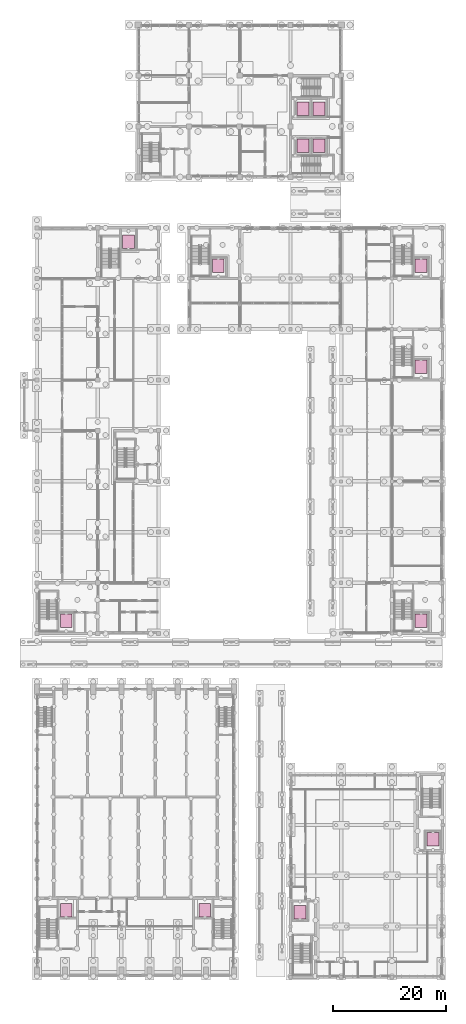
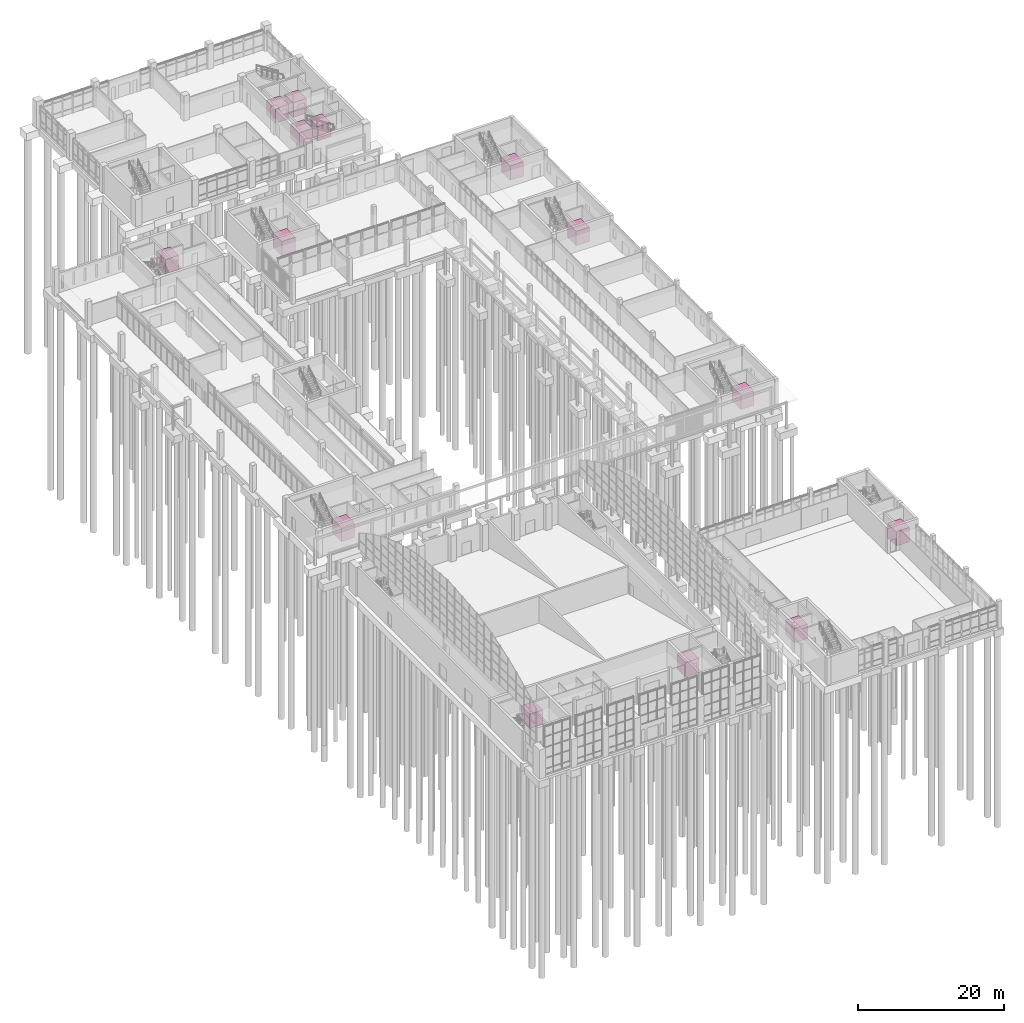
# One storey, part 106 of 106: 14 transport elements.
"""IFC4 building model written with IfcOpenShell, lengths in metres."""

from ifc_helpers import new_model, si_unit, direction, frame, origin, origin_2d, place, context, subcontext, project, spatial, rectangle, extrude, material, type_object, element, save


model = new_model("IFC4")

# Units and contexts
model_context = context("Model", 3, precision=1e-05, world=origin(), true_north=direction((0.0, 1.0)))
body_context = subcontext(model_context, "Body", "Model", "MODEL_VIEW")
ifc_project = project(units=[si_unit("LENGTHUNIT", "METRE"), si_unit("AREAUNIT", "SQUARE_METRE"), si_unit("VOLUMEUNIT", "CUBIC_METRE"), si_unit("PLANEANGLEUNIT", "RADIAN"), si_unit("MASSUNIT", "GRAM", prefix="KILO")], contexts=[model_context])

# Site, building, storey
site_placement = place(None, origin())
site = spatial("IfcSite", under=ifc_project, at=site_placement, CompositionType="ELEMENT")
building_placement = place(site_placement, origin())
building = spatial("IfcBuilding", under=site, at=building_placement, Name="Merrow Basin Faculty of Sciences", CompositionType="ELEMENT")
storey_placement = place(building_placement, origin())
storey = spatial("IfcBuildingStorey", under=building, at=storey_placement, Name="L00", CompositionType="ELEMENT", Elevation=0.0)

# Transport elements
ifc_material = material(Name="Stainless steel", Category="steel")
transport_element_type = type_object("IfcTransportElementType", Name="Passenger lift car 2100 x 2400", PredefinedType="ELEVATOR", material=ifc_material)
for number, where, z_axis, x_axis, name in (
    (1, (5.199951171875, 63.300048828125, 0.0), (0.0, 0.0, 1.0), (1.0, 0.0, 0.0), "Laboratory Bar lift S"),
    (2, (16.25, 130.5, 0.0), (0.0, 0.0, 1.0), (1.0, 0.0, 0.0), "Laboratory Bar lift N"),
    (3, (5.199951171875, 11.89990234375, 0.0), (0.0, 0.0, 1.0), (1.0, 0.0, 0.0), "Lecture Theatres Hall lift W"),
    (4, (29.800048828125, 11.89990234375, 0.0), (0.0, 0.0, 1.0), (1.0, 0.0, 0.0), "Lecture Theatres Hall lift E"),
    (5, (32.199951171875, 126.300048828125, 0.0), (0.0, 0.0, 1.0), (1.0, 0.0, 0.0), "Learning Commons Wing lift W"),
    (6, (68.199951171875, 63.300048828125, 0.0), (0.0, 0.0, 1.0), (1.0, 0.0, 0.0), "Learning Commons Wing lift S"),
    (7, (68.199951171875, 108.300048828125, 0.0), (0.0, 0.0, 1.0), (1.0, 0.0, 0.0), "Learning Commons Wing lift M"),
    (8, (68.199951171875, 126.300048828125, 0.0), (0.0, 0.0, 1.0), (1.0, 0.0, 0.0), "Learning Commons Wing lift N"),
    (9, (46.699951171875, 11.5, 0.0), (0.0, 0.0, 1.0), (1.0, 0.0, 0.0), "Sky-lit Atrium lift W"),
    (10, (70.300048828125, 24.5, 0.0), (0.0, 0.0, 1.0), (1.0, 0.0, 0.0), "Sky-lit Atrium lift E"),
    (11, (47.199951171875, 154.10009765625, 0.0), (0.0, 0.0, 1.0), (1.0, 0.0, 0.0), "Research Tower fire service lift 1"),
    (12, (50.050048828125, 154.10009765625, 0.0), (0.0, 0.0, 1.0), (1.0, 0.0, 0.0), "Research Tower lift 2"),
    (13, (47.199951171875, 147.550048828125, 0.0), (0.0, 0.0, 1.0), (1.0, 0.0, 0.0), "Research Tower fire service lift 3"),
    (14, (50.050048828125, 147.550048828125, 0.0), (0.0, 0.0, 1.0), (1.0, 0.0, 0.0), "Research Tower lift 4"),
):
    element("IfcTransportElement", number, at=place(storey_placement, frame(where, z_axis=z_axis, x_axis=x_axis)), inside=storey, type_object=transport_element_type, Name=name, PredefinedType="ELEVATOR", context=body_context, shape_type="SweptSolid", body=[
        extrude(rectangle(XDim=2.10009765625, YDim=2.39990234375, at=origin_2d()), origin(), (0.0, 0.0, 1.0), 2.39990234375),
    ])

save(model, "model.ifc")
